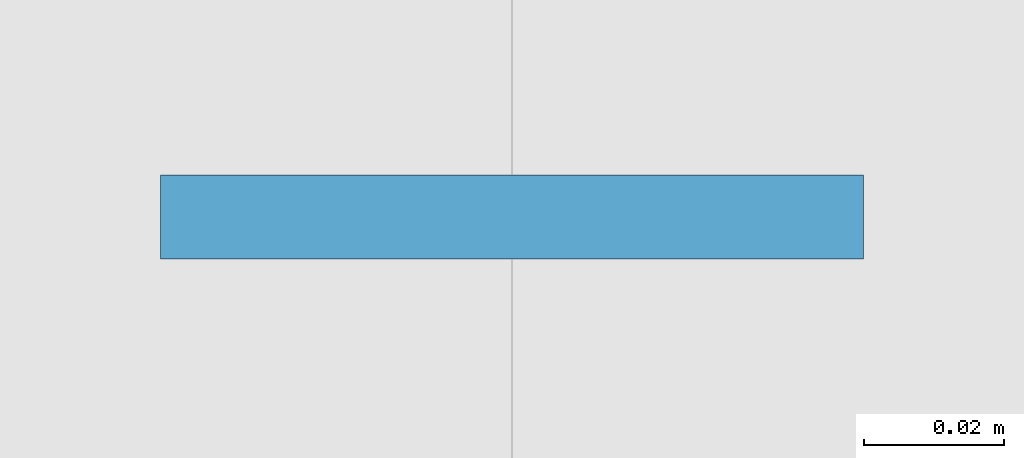
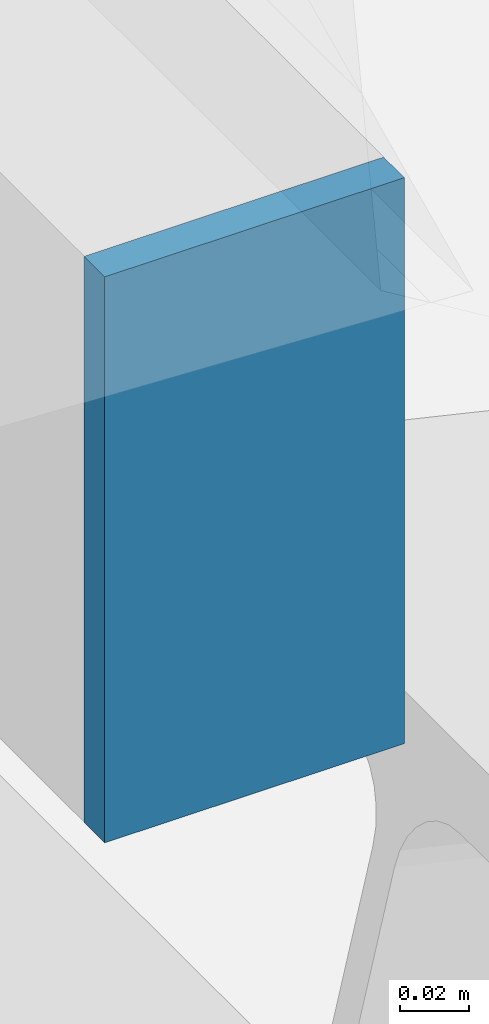
# One storey, part 18 of 27: 1 plate.
"""IFC4 building model written with IfcOpenShell, lengths in metres."""

from ifc_helpers import new_model, si_unit, direction, frame, origin, origin_2d, place, context, subcontext, project, spatial, rectangle, extrude, material, layer, layer_set, type_object, element, save


model = new_model("IFC4")

# Units and contexts
model_context = context("Model", 3, precision=1e-05, world=origin(), true_north=direction((0.0, 1.0)))
body_context = subcontext(model_context, "Body", "Model", "MODEL_VIEW")
ifc_project = project(units=[si_unit("LENGTHUNIT", "METRE"), si_unit("AREAUNIT", "SQUARE_METRE"), si_unit("VOLUMEUNIT", "CUBIC_METRE"), si_unit("PLANEANGLEUNIT", "RADIAN"), si_unit("MASSUNIT", "GRAM", prefix="KILO")], contexts=[model_context])

# Site, building, storey
site_placement = place(None, origin())
site = spatial("IfcSite", under=ifc_project, at=site_placement, CompositionType="ELEMENT")
building_placement = place(site_placement, origin())
building = spatial("IfcBuilding", under=site, at=building_placement, Name="Vellmiral Cinema and Media Centre", CompositionType="ELEMENT")
storey_placement = place(building_placement, frame((0.0, 0.0, 19.800048828125)))
storey = spatial("IfcBuildingStorey", under=building, at=storey_placement, Name="L04", CompositionType="ELEMENT", Elevation=19.800048828125)

# Plate
ifc_material = material(Name="Steel S355", Category="steel")
ifc_layer = layer(ifc_material, 0.011962890625, Name="Steel S355")
ifc_layer_set = layer_set([ifc_layer], Name="Steel S355")
plate_type = type_object("IfcPlateType", Name="PLT-CAP-200", PredefinedType="SHEET", material=ifc_layer_set)
plate_placement = place(storey_placement, frame((90.39990234375, 68.194580078125, 6.7568359375), z_axis=(0.0, 0.0, 1.0), x_axis=(1.0, 0.0, 0.0)))
element("IfcPlate", 1, at=plate_placement, inside=storey, type_object=plate_type, Name="Roof Purlin VR-09.3.1 End Cap Plate", PredefinedType="SHEET", context=body_context, shape_type="SweptSolid", body=[
    extrude(rectangle(XDim=0.10009765625, YDim=0.011962890625, at=origin_2d()), origin(), (0.0, 0.0, 1.0), 0.199951171875),
])

save(model, "model.ifc")
